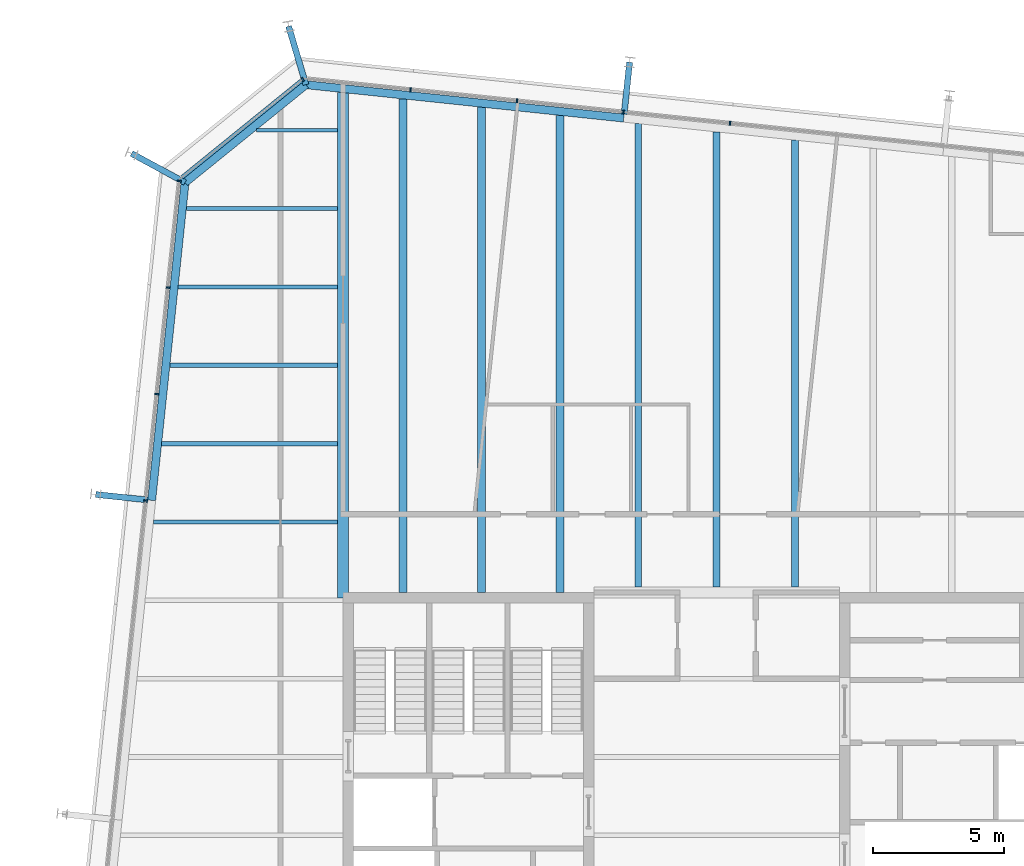
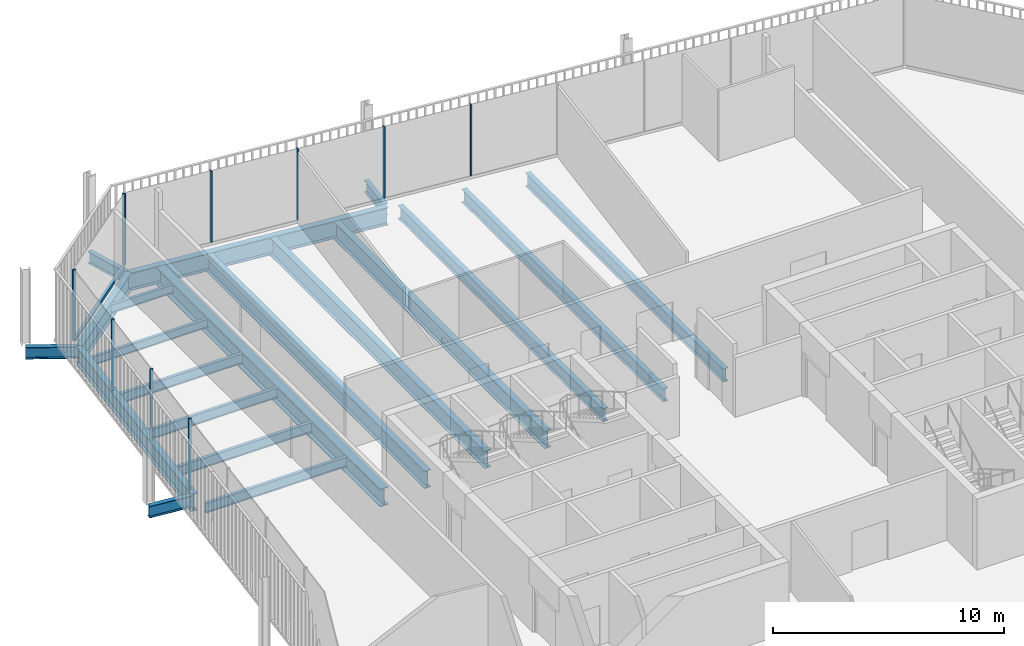
# One storey, part 12 of 20: 20 beams, 10 members, 3 elements without a shape of their own.
"""IFC4 building model written with IfcOpenShell, lengths in metres."""

from ifc_helpers import new_model, si_unit, direction, frame, origin, origin_2d, place, context, subcontext, project, spatial, rectangle, i_section, extrude, material, layer, layer_set, material_profile, profile_set, type_object, element, aggregate, save


model = new_model("IFC4")

# Units and contexts
model_context = context("Model", 3, precision=1e-05, world=origin(), true_north=direction((0.0, 1.0)))
body_context = subcontext(model_context, "Body", "Model", "MODEL_VIEW")
ifc_project = project(units=[si_unit("LENGTHUNIT", "METRE"), si_unit("AREAUNIT", "SQUARE_METRE"), si_unit("VOLUMEUNIT", "CUBIC_METRE"), si_unit("PLANEANGLEUNIT", "RADIAN"), si_unit("MASSUNIT", "GRAM", prefix="KILO")], contexts=[model_context])

# Site, building, storey
site_placement = place(None, origin())
site = spatial("IfcSite", under=ifc_project, at=site_placement, CompositionType="ELEMENT")
building_placement = place(site_placement, origin())
building = spatial("IfcBuilding", under=site, at=building_placement, Name="Millrace Tower", CompositionType="ELEMENT")
storey_placement = place(building_placement, frame((0.0, 0.0, 303.300048828125)))
storey = spatial("IfcBuildingStorey", under=building, at=storey_placement, Name="L70", CompositionType="ELEMENT", Elevation=303.300048828125)

# Curtain wall, members
ifc_material_1 = material(Name="Aluminium and glass", Category="aluminium")
ifc_layer = layer(ifc_material_1, 0.14990234375)
ifc_layer_set = layer_set([ifc_layer], Name="Aluminium and glass")
curtain_wall_type = type_object("IfcCurtainWallType", Name="CW-1 office vision curtain wall", PredefinedType="NOTDEFINED", material=ifc_layer_set)
placement = place(storey_placement, origin())
curtain_wall_1 = element("IfcCurtainWall", 1, at=placement, inside=storey, type_object=curtain_wall_type, Name="Curtain wall E-F06 L70", PredefinedType="NOTDEFINED")
ifc_material_2 = material(Name="Aluminium", Category="aluminium")
ifc_material_profile_1 = material_profile(ifc_material_2, rectangle(XDim=0.06494140625, YDim=0.14990234375, at=origin_2d()))
ifc_profile_set_1 = profile_set([ifc_material_profile_1], Name="Aluminium")
member_type_1 = type_object("IfcMemberType", Name="CW-1 office vision curtain wall mullion", PredefinedType="MULLION", material=ifc_profile_set_1)
member_1_placement = place(storey_placement, frame((0.514892578125, 27.267578125, 0.139892578125), z_axis=(0.0, 0.0, 1.0), x_axis=(-0.994521896217, 0.104528455196, 0.0)))
member_1 = element("IfcMember", 2, at=member_1_placement, type_object=member_type_1, Name="CW1 mullion E-F06.6", PredefinedType="MULLION", context=body_context, shape_type="SweptSolid", body=[
    extrude(rectangle(XDim=0.06494140625, YDim=0.14990234375, at=origin_2d()), origin(), (0.0, 0.0, 1.0), 3.760009765625),
])
member_2_placement = place(storey_placement, frame((-3.562744140625, 27.6962890625, 0.139892578125), z_axis=(0.0, 0.0, 1.0), x_axis=(-0.994521896217, 0.104528455196, 0.0)))
member_2 = element("IfcMember", 3, at=member_2_placement, type_object=member_type_1, Name="CW1 mullion E-F06.7", PredefinedType="MULLION", context=body_context, shape_type="SweptSolid", body=[
    extrude(rectangle(XDim=0.06494140625, YDim=0.14990234375, at=origin_2d()), origin(), (0.0, 0.0, 1.0), 3.760009765625),
])
member_3_placement = place(storey_placement, frame((-7.640380859375, 28.124755859375, 0.139892578125), z_axis=(0.0, 0.0, 1.0), x_axis=(-0.994521896217, 0.104528455196, 0.0)))
member_3 = element("IfcMember", 4, at=member_3_placement, type_object=member_type_1, Name="CW1 mullion E-F06.8", PredefinedType="MULLION", context=body_context, shape_type="SweptSolid", body=[
    extrude(rectangle(XDim=0.06494140625, YDim=0.14990234375, at=origin_2d()), origin(), (0.0, 0.0, 1.0), 3.760009765625),
])
member_4_placement = place(storey_placement, frame((-11.7177734375, 28.55322265625, 0.139892578125), z_axis=(0.0, 0.0, 1.0), x_axis=(-0.994521896217, 0.104528455196, 0.0)))
member_4 = element("IfcMember", 5, at=member_4_placement, type_object=member_type_1, Name="CW1 mullion E-F06.9", PredefinedType="MULLION", context=body_context, shape_type="SweptSolid", body=[
    extrude(rectangle(XDim=0.06494140625, YDim=0.14990234375, at=origin_2d()), origin(), (0.0, 0.0, 1.0), 3.760009765625),
])
aggregate(curtain_wall_1, [member_1, member_2, member_3, member_4])

# Curtain wall, member
curtain_wall_2 = element("IfcCurtainWall", 6, at=placement, inside=storey, type_object=curtain_wall_type, Name="Curtain wall E-F07 L70", PredefinedType="NOTDEFINED")
member_5_placement = place(storey_placement, frame((-15.84326171875, 28.941650390625, 0.139892578125), z_axis=(0.0, 0.0, 1.0), x_axis=(-0.777146052237, -0.629320278945, 0.0)))
member_5 = element("IfcMember", 7, at=member_5_placement, type_object=member_type_1, Name="CW1 mullion E-F07.1", PredefinedType="MULLION", context=body_context, shape_type="SweptSolid", body=[
    extrude(rectangle(XDim=0.06494140625, YDim=0.14990234375, at=origin_2d()), origin(), (0.0, 0.0, 1.0), 3.760009765625),
])

# Curtain wall, members
curtain_wall_3 = element("IfcCurtainWall", 8, at=placement, inside=storey, type_object=curtain_wall_type, Name="Curtain wall E-F08 L70", PredefinedType="NOTDEFINED")
member_6_placement = place(storey_placement, frame((-20.57470703125, 25.052490234375, 0.139892578125), z_axis=(0.0, 0.0, 1.0), x_axis=(-0.104528455196, -0.994521896217, 0.0)))
member_6 = element("IfcMember", 9, at=member_6_placement, type_object=member_type_1, Name="CW1 mullion E-F08.1", PredefinedType="MULLION", context=body_context, shape_type="SweptSolid", body=[
    extrude(rectangle(XDim=0.06494140625, YDim=0.14990234375, at=origin_2d()), origin(), (0.0, 0.0, 1.0), 3.760009765625),
])
member_7_placement = place(storey_placement, frame((-21.00341796875, 20.974853515625, 0.139892578125), z_axis=(0.0, 0.0, 1.0), x_axis=(-0.104528455196, -0.994521896217, 0.0)))
member_7 = element("IfcMember", 10, at=member_7_placement, type_object=member_type_1, Name="CW1 mullion E-F08.2", PredefinedType="MULLION", context=body_context, shape_type="SweptSolid", body=[
    extrude(rectangle(XDim=0.06494140625, YDim=0.14990234375, at=origin_2d()), origin(), (0.0, 0.0, 1.0), 3.760009765625),
])
member_8_placement = place(storey_placement, frame((-21.431884765625, 16.8974609375, 0.139892578125), z_axis=(0.0, 0.0, 1.0), x_axis=(-0.104528455196, -0.994521896217, 0.0)))
member_8 = element("IfcMember", 11, at=member_8_placement, type_object=member_type_1, Name="CW1 mullion E-F08.3", PredefinedType="MULLION", context=body_context, shape_type="SweptSolid", body=[
    extrude(rectangle(XDim=0.06494140625, YDim=0.14990234375, at=origin_2d()), origin(), (0.0, 0.0, 1.0), 3.760009765625),
])
member_9_placement = place(storey_placement, frame((-21.860595703125, 12.81982421875, 0.139892578125), z_axis=(0.0, 0.0, 1.0), x_axis=(-0.104528455196, -0.994521896217, 0.0)))
member_9 = element("IfcMember", 12, at=member_9_placement, type_object=member_type_1, Name="CW1 mullion E-F08.4", PredefinedType="MULLION", context=body_context, shape_type="SweptSolid", body=[
    extrude(rectangle(XDim=0.06494140625, YDim=0.14990234375, at=origin_2d()), origin(), (0.0, 0.0, 1.0), 3.760009765625),
])
aggregate(curtain_wall_3, [member_6, member_7, member_8, member_9])

# Member
ifc_material_3 = material(Name="Aluminium", Category="aluminium")
ifc_material_profile_2 = material_profile(ifc_material_3, rectangle(XDim=0.14990234375, YDim=0.139892578125, at=origin_2d()))
ifc_profile_set_2 = profile_set([ifc_material_profile_2], Name="Aluminium")
member_type_2 = type_object("IfcMemberType", Name="CW-1 office vision curtain wall transom", PredefinedType="USERDEFINED", material=ifc_profile_set_2)
member_10_placement = place(storey_placement, frame((-15.895751953125, 28.899169921875, 0.070068359375), z_axis=(-0.777165591695, -0.629296148951, 0.0), x_axis=(0.629296148951, -0.777165591695, 0.0)))
member_10 = element("IfcMember", 13, at=member_10_placement, type_object=member_type_2, Name="CW1 transom E-F07.1", ObjectType="TRANSOM", PredefinedType="USERDEFINED", context=body_context, shape_type="SweptSolid", body=[
    extrude(rectangle(XDim=0.14990234375, YDim=0.139892578125, at=origin_2d()), origin(), (0.0, 0.0, 1.0), 5.881103515625),
])

aggregate(curtain_wall_2, [member_5, member_10])

# Beams
ifc_material_4 = material(Name="Steel ASTM A992 Grade 50", Category="steel")
ifc_material_profile_3 = material_profile(ifc_material_4, i_section(OverallWidth=0.15234375, OverallDepth=0.449462890625, WebThickness=0.007568359375, FlangeThickness=0.0107421875, FilletRadius=0.01025390625, at=origin_2d()))
ifc_profile_set_3 = profile_set([ifc_material_profile_3], Name="Steel ASTM A992 Grade 50")
beam_type_1 = type_object("IfcBeamType", Name="Floor beam W18x35", PredefinedType="JOIST", material=ifc_profile_set_3)
beam_1_placement = place(storey_placement, frame((-20.301025390625, 24.0, -0.384765625), z_axis=(1.0, 0.0, 0.0), x_axis=(0.0, 1.0, 0.0)))
element("IfcBeam", 14, at=beam_1_placement, inside=storey, type_object=beam_type_1, Name="BM-E-L70-S1-S033", PredefinedType="JOIST", context=body_context, shape_type="SweptSolid", body=[
    extrude(i_section(OverallWidth=0.15234375, OverallDepth=0.449462890625, WebThickness=0.007568359375, FlangeThickness=0.0107421875, FilletRadius=0.01025390625, at=origin_2d()), origin(), (0.0, 0.0, 1.0), 5.79150390625),
])
beam_2_placement = place(storey_placement, frame((-17.609619140625, 27.0, -0.384765625), z_axis=(1.0, 0.0, 0.0), x_axis=(0.0, 1.0, 0.0)))
element("IfcBeam", 15, at=beam_2_placement, inside=storey, type_object=beam_type_1, Name="BM-E-L70-S1-S035", PredefinedType="JOIST", context=body_context, shape_type="SweptSolid", body=[
    extrude(i_section(OverallWidth=0.15234375, OverallDepth=0.449462890625, WebThickness=0.007568359375, FlangeThickness=0.0107421875, FilletRadius=0.01025390625, at=origin_2d()), origin(), (0.0, 0.0, 1.0), 3.10009765625),
])
ifc_material_5 = material(Name="Steel ASTM A992 Grade 50", Category="steel")
ifc_material_profile_4 = material_profile(ifc_material_5, i_section(OverallWidth=0.1650390625, OverallDepth=0.52587890625, WebThickness=0.0087890625, FlangeThickness=0.011474609375, FilletRadius=0.0126953125, at=origin_2d()))
ifc_profile_set_4 = profile_set([ifc_material_profile_4], Name="Steel ASTM A992 Grade 50")
beam_type_2 = type_object("IfcBeamType", Name="Floor beam W21x44", PredefinedType="JOIST", material=ifc_profile_set_4)
beam_3_placement = place(storey_placement, frame((-21.562255859375, 12.0, -0.4228515625), z_axis=(1.0, 0.0, 0.0), x_axis=(0.0, 1.0, 0.0)))
element("IfcBeam", 16, at=beam_3_placement, inside=storey, type_object=beam_type_2, Name="BM-E-L70-S1-S025", PredefinedType="JOIST", context=body_context, shape_type="SweptSolid", body=[
    extrude(i_section(OverallWidth=0.1650390625, OverallDepth=0.52587890625, WebThickness=0.0087890625, FlangeThickness=0.011474609375, FilletRadius=0.0126953125, at=origin_2d()), origin(), (0.0, 0.0, 1.0), 7.052734375),
])
beam_4_placement = place(storey_placement, frame((-21.246826171875, 15.0, -0.4228515625), z_axis=(1.0, 0.0, 0.0), x_axis=(0.0, 1.0, 0.0)))
element("IfcBeam", 17, at=beam_4_placement, inside=storey, type_object=beam_type_2, Name="BM-E-L70-S1-S027", PredefinedType="JOIST", context=body_context, shape_type="SweptSolid", body=[
    extrude(i_section(OverallWidth=0.1650390625, OverallDepth=0.52587890625, WebThickness=0.0087890625, FlangeThickness=0.011474609375, FilletRadius=0.0126953125, at=origin_2d()), origin(), (0.0, 0.0, 1.0), 6.7373046875),
])
beam_5_placement = place(storey_placement, frame((-20.931640625, 18.0, -0.4228515625), z_axis=(1.0, 0.0, 0.0), x_axis=(0.0, 1.0, 0.0)))
element("IfcBeam", 18, at=beam_5_placement, inside=storey, type_object=beam_type_2, Name="BM-E-L70-S1-S029", PredefinedType="JOIST", context=body_context, shape_type="SweptSolid", body=[
    extrude(i_section(OverallWidth=0.1650390625, OverallDepth=0.52587890625, WebThickness=0.0087890625, FlangeThickness=0.011474609375, FilletRadius=0.0126953125, at=origin_2d()), origin(), (0.0, 0.0, 1.0), 6.422119140625),
])
beam_6_placement = place(storey_placement, frame((-20.6162109375, 21.0, -0.4228515625), z_axis=(1.0, 0.0, 0.0), x_axis=(0.0, 1.0, 0.0)))
element("IfcBeam", 19, at=beam_6_placement, inside=storey, type_object=beam_type_2, Name="BM-E-L70-S1-S031", PredefinedType="JOIST", context=body_context, shape_type="SweptSolid", body=[
    extrude(i_section(OverallWidth=0.1650390625, OverallDepth=0.52587890625, WebThickness=0.0087890625, FlangeThickness=0.011474609375, FilletRadius=0.0126953125, at=origin_2d()), origin(), (0.0, 0.0, 1.0), 6.106689453125),
])
ifc_material_6 = material(Name="Steel ASTM A992 Grade 50", Category="steel")
ifc_material_profile_5 = material_profile(ifc_material_6, i_section(OverallWidth=0.256591796875, OverallDepth=0.693359375, WebThickness=0.014404296875, FlangeThickness=0.023681640625, FilletRadius=0.01513671875, at=origin_2d()))
ifc_profile_set_5 = profile_set([ifc_material_profile_5], Name="Steel ASTM A992 Grade 50")
beam_type_3 = type_object("IfcBeamType", Name="Floor beam W27x114", PredefinedType="JOIST", material=ifc_profile_set_5)
beam_7_placement = place(storey_placement, frame((-3.0, 9.509521484375, -0.5068359375), z_axis=(0.0, 1.0, 0.0), x_axis=(-1.0, 0.0, 0.0)))
element("IfcBeam", 20, at=beam_7_placement, inside=storey, type_object=beam_type_3, Name="BM-E-L70-S1-S042", PredefinedType="JOIST", context=body_context, shape_type="SweptSolid", body=[
    extrude(i_section(OverallWidth=0.256591796875, OverallDepth=0.693359375, WebThickness=0.014404296875, FlangeThickness=0.023681640625, FilletRadius=0.01513671875, at=origin_2d()), origin(), (0.0, 0.0, 1.0), 17.7431640625),
])
beam_8_placement = place(storey_placement, frame((0.0, 9.509521484375, -0.5068359375), z_axis=(0.0, 1.0, 0.0), x_axis=(-1.0, 0.0, 0.0)))
element("IfcBeam", 21, at=beam_8_placement, inside=storey, type_object=beam_type_3, Name="BM-E-L70-S1-S044", PredefinedType="JOIST", context=body_context, shape_type="SweptSolid", body=[
    extrude(i_section(OverallWidth=0.256591796875, OverallDepth=0.693359375, WebThickness=0.014404296875, FlangeThickness=0.023681640625, FilletRadius=0.01513671875, at=origin_2d()), origin(), (0.0, 0.0, 1.0), 17.427734375),
])
beam_9_placement = place(storey_placement, frame((3.0, 9.509521484375, -0.5068359375), z_axis=(0.0, 1.0, 0.0), x_axis=(-1.0, 0.0, 0.0)))
element("IfcBeam", 22, at=beam_9_placement, inside=storey, type_object=beam_type_3, Name="BM-E-L70-S1-S046", PredefinedType="JOIST", context=body_context, shape_type="SweptSolid", body=[
    extrude(i_section(OverallWidth=0.256591796875, OverallDepth=0.693359375, WebThickness=0.014404296875, FlangeThickness=0.023681640625, FilletRadius=0.01513671875, at=origin_2d()), origin(), (0.0, 0.0, 1.0), 17.112548828125),
])
ifc_material_7 = material(Name="Steel ASTM A992 Grade 50", Category="steel")
ifc_material_profile_6 = material_profile(ifc_material_7, i_section(OverallWidth=0.307373046875, OverallDepth=0.927001953125, WebThickness=0.01953125, FlangeThickness=0.031982421875, FilletRadius=0.01904296875, at=origin_2d()))
ifc_profile_set_6 = profile_set([ifc_material_profile_6], Name="Steel ASTM A992 Grade 50")
beam_type_4 = type_object("IfcBeamType", Name="Floor beam W36x194", PredefinedType="JOIST", material=ifc_profile_set_6)
beam_10_placement = place(storey_placement, frame((-12.0, 9.300048828125, -0.62353515625), z_axis=(0.0, 1.0, 0.0), x_axis=(-1.0, 0.0, 0.0)))
element("IfcBeam", 23, at=beam_10_placement, inside=storey, type_object=beam_type_4, Name="BM-E-L70-S1-S036", PredefinedType="JOIST", context=body_context, shape_type="SweptSolid", body=[
    extrude(i_section(OverallWidth=0.307373046875, OverallDepth=0.927001953125, WebThickness=0.01953125, FlangeThickness=0.031982421875, FilletRadius=0.01904296875, at=origin_2d()), origin(), (0.0, 0.0, 1.0), 18.8984375),
])
beam_11_placement = place(storey_placement, frame((-9.0, 9.300048828125, -0.62353515625), z_axis=(0.0, 1.0, 0.0), x_axis=(-1.0, 0.0, 0.0)))
element("IfcBeam", 24, at=beam_11_placement, inside=storey, type_object=beam_type_4, Name="BM-E-L70-S1-S038", PredefinedType="JOIST", context=body_context, shape_type="SweptSolid", body=[
    extrude(i_section(OverallWidth=0.307373046875, OverallDepth=0.927001953125, WebThickness=0.01953125, FlangeThickness=0.031982421875, FilletRadius=0.01904296875, at=origin_2d()), origin(), (0.0, 0.0, 1.0), 18.583251953125),
])
beam_12_placement = place(storey_placement, frame((-6.0, 9.300048828125, -0.62353515625), z_axis=(0.0, 1.0, 0.0), x_axis=(-1.0, 0.0, 0.0)))
element("IfcBeam", 25, at=beam_12_placement, inside=storey, type_object=beam_type_4, Name="BM-E-L70-S1-S040", PredefinedType="JOIST", context=body_context, shape_type="SweptSolid", body=[
    extrude(i_section(OverallWidth=0.307373046875, OverallDepth=0.927001953125, WebThickness=0.01953125, FlangeThickness=0.031982421875, FilletRadius=0.01904296875, at=origin_2d()), origin(), (0.0, 0.0, 1.0), 18.267822265625),
])
ifc_material_8 = material(Name="Steel ASTM A992 Grade 50", Category="steel")
ifc_material_profile_7 = material_profile(ifc_material_8, i_section(OverallWidth=0.424072265625, OverallDepth=0.947509765625, WebThickness=0.02392578125, FlangeThickness=0.042724609375, FilletRadius=0.024169921875, at=origin_2d()))
ifc_profile_set_7 = profile_set([ifc_material_profile_7], Name="Steel ASTM A992 Grade 50")
beam_type_5 = type_object("IfcBeamType", Name="Girder medium span W36x302", PredefinedType="BEAM", material=ifc_profile_set_7)
beam_13_placement = place(storey_placement, frame((-14.300048828125, 9.083984375, -0.6337890625), z_axis=(0.0, 1.0, 0.0), x_axis=(-1.0, 0.0, 0.0)))
element("IfcBeam", 26, at=beam_13_placement, inside=storey, type_object=beam_type_5, Name="BM-E-L70-S1-G054", PredefinedType="BEAM", context=body_context, shape_type="SweptSolid", body=[
    extrude(i_section(OverallWidth=0.424072265625, OverallDepth=0.947509765625, WebThickness=0.02392578125, FlangeThickness=0.042724609375, FilletRadius=0.024169921875, at=origin_2d()), origin(), (0.0, 0.0, 1.0), 19.356201171875),
])
ifc_material_9 = material(Name="Steel ASTM A992 Grade 50", Category="steel")
ifc_material_profile_8 = material_profile(ifc_material_9, i_section(OverallWidth=0.23046875, OverallDepth=0.6171875, WebThickness=0.01318359375, FlangeThickness=0.022216796875, FilletRadius=0.012939453125, at=origin_2d()))
ifc_profile_set_8 = profile_set([ifc_material_profile_8], Name="Steel ASTM A992 Grade 50")
beam_type_6 = type_object("IfcBeamType", Name="Link beam W24x94", PredefinedType="BEAM", material=ifc_profile_set_8)
beam_14_placement = place(storey_placement, frame((-21.782470703125, 12.84423828125, -0.46875), z_axis=(-0.994512808172, 0.104614886044, 0.0), x_axis=(-0.104614886044, -0.994512808172, 0.0)))
element("IfcBeam", 27, at=beam_14_placement, inside=storey, type_object=beam_type_6, Name="LNK-E-L70-S1-03", PredefinedType="BEAM", context=body_context, shape_type="SweptSolid", body=[
    extrude(i_section(OverallWidth=0.23046875, OverallDepth=0.6171875, WebThickness=0.01318359375, FlangeThickness=0.022216796875, FilletRadius=0.012939453125, at=origin_2d()), origin(), (0.0, 0.0, 1.0), 2.0),
])
for number, where, z_axis, x_axis, name in (
    (28, (-20.3505859375, 24.99755859375, -0.46875), (-0.87881453358, 0.477163510307, 0.0), (-0.477163510307, -0.87881453358, 0.0), "LNK-E-L70-S1-04"),
    (29, (-15.7236328125, 28.744384765625, -0.46875), (-0.284031275065, 0.958815015936, 0.0), (-0.958815015936, -0.284031275065, 0.0), "LNK-E-L70-S1-05"),
):
    element("IfcBeam", number, at=place(storey_placement, frame(where, z_axis=z_axis, x_axis=x_axis)), inside=storey, type_object=beam_type_6, Name=name, PredefinedType="BEAM", context=body_context, shape_type="SweptSolid", body=[
        extrude(i_section(OverallWidth=0.23046875, OverallDepth=0.6171875, WebThickness=0.01318359375, FlangeThickness=0.022216796875, FilletRadius=0.012939453125, at=origin_2d()), origin(), (0.0, 0.0, 1.0), 2.3310546875),
    ])
beam_15_placement = place(storey_placement, frame((-3.538330078125, 27.6181640625, -0.46875), z_axis=(0.104494148666, 0.99452550138, 0.0), x_axis=(-0.99452550138, 0.104494148666, 0.0)))
element("IfcBeam", 30, at=beam_15_placement, inside=storey, type_object=beam_type_6, Name="LNK-E-L70-S1-06", PredefinedType="BEAM", context=body_context, shape_type="SweptSolid", body=[
    extrude(i_section(OverallWidth=0.23046875, OverallDepth=0.6171875, WebThickness=0.01318359375, FlangeThickness=0.022216796875, FilletRadius=0.012939453125, at=origin_2d()), origin(), (0.0, 0.0, 1.0), 2.0),
])
ifc_material_10 = material(Name="Steel ASTM A992 Grade 50", Category="steel")
ifc_material_profile_9 = material_profile(ifc_material_10, i_section(OverallWidth=0.307373046875, OverallDepth=0.927001953125, WebThickness=0.01953125, FlangeThickness=0.031982421875, FilletRadius=0.01904296875, at=origin_2d()))
ifc_profile_set_9 = profile_set([ifc_material_profile_9], Name="Steel ASTM A992 Grade 50")
beam_type_7 = type_object("IfcBeamType", Name="Ring beam medium span W36x194", PredefinedType="SPANDREL", material=ifc_profile_set_9)
for number, where, z_axis, x_axis, name in (
    (31, (-21.629638671875, 12.828369140625, -0.62353515625), (0.104530030035, 0.994521730693, 0.0), (-0.994521730693, 0.104530030035, 0.0), "RNG-E-L70-S1-03"),
    (32, (-15.7236328125, 28.744384765625, -0.62353515625), (0.994521730693, -0.104530030035, 0.0), (0.104530030035, 0.994521730693, 0.0), "RNG-E-L70-S1-05"),
):
    element("IfcBeam", number, at=place(storey_placement, frame(where, z_axis=z_axis, x_axis=x_axis)), inside=storey, type_object=beam_type_7, Name=name, PredefinedType="SPANDREL", context=body_context, shape_type="SweptSolid", body=[
        extrude(i_section(OverallWidth=0.307373046875, OverallDepth=0.927001953125, WebThickness=0.01953125, FlangeThickness=0.031982421875, FilletRadius=0.01904296875, at=origin_2d()), origin(), (0.0, 0.0, 1.0), 12.236328125),
    ])
ifc_material_11 = material(Name="Steel ASTM A992 Grade 50", Category="steel")
ifc_material_profile_10 = material_profile(ifc_material_11, i_section(OverallWidth=0.307373046875, OverallDepth=0.927001953125, WebThickness=0.01953125, FlangeThickness=0.031982421875, FilletRadius=0.01904296875, at=origin_2d()))
ifc_profile_set_10 = profile_set([ifc_material_profile_10], Name="Steel ASTM A992 Grade 50")
beam_type_8 = type_object("IfcBeamType", Name="Ring beam short span W36x194", PredefinedType="SPANDREL", material=ifc_profile_set_10)
beam_16_placement = place(storey_placement, frame((-20.3505859375, 24.99755859375, -0.62353515625), z_axis=(0.777146502883, 0.629319722443, 0.0), x_axis=(-0.629319722443, 0.777146502883, 0.0)))
element("IfcBeam", 33, at=beam_16_placement, inside=storey, type_object=beam_type_8, Name="RNG-E-L70-S1-04", PredefinedType="SPANDREL", context=body_context, shape_type="SweptSolid", body=[
    extrude(i_section(OverallWidth=0.307373046875, OverallDepth=0.927001953125, WebThickness=0.01953125, FlangeThickness=0.031982421875, FilletRadius=0.01904296875, at=origin_2d()), origin(), (0.0, 0.0, 1.0), 5.953857421875),
])

save(model, "model.ifc")
